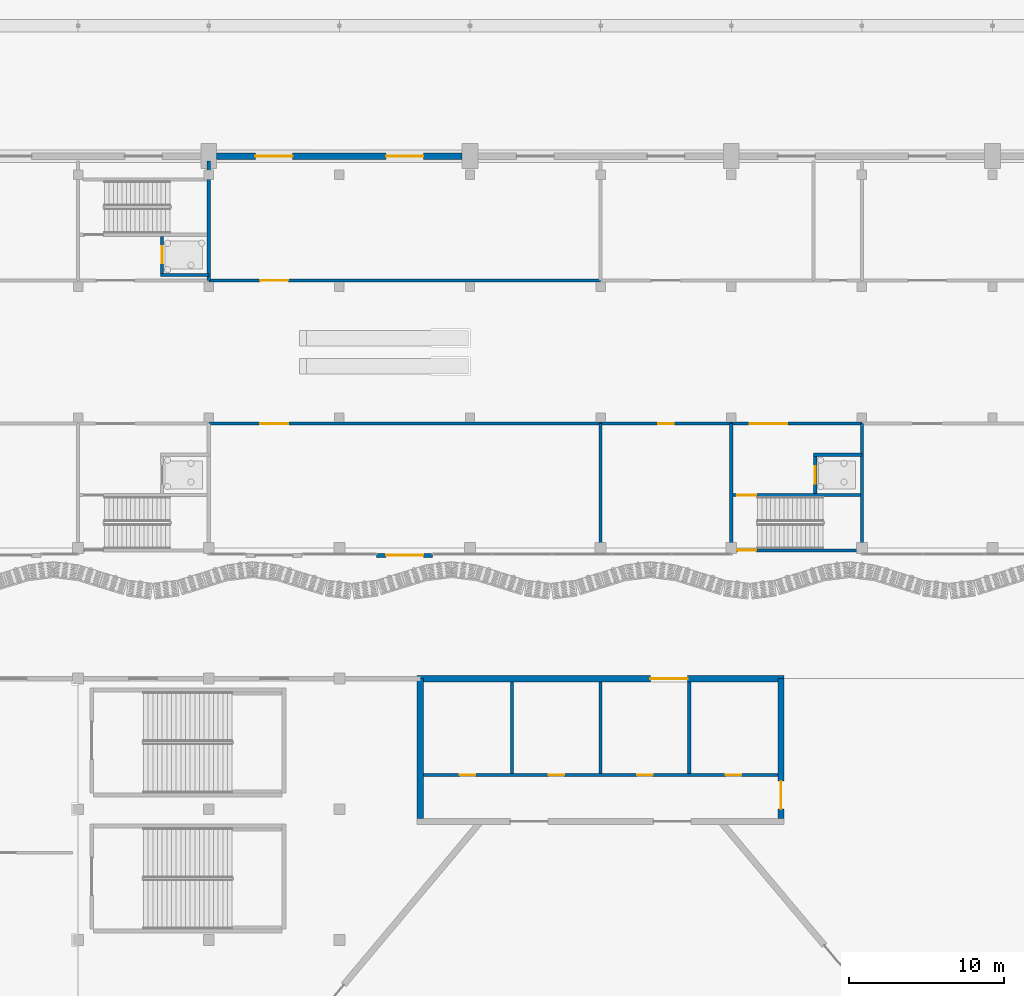
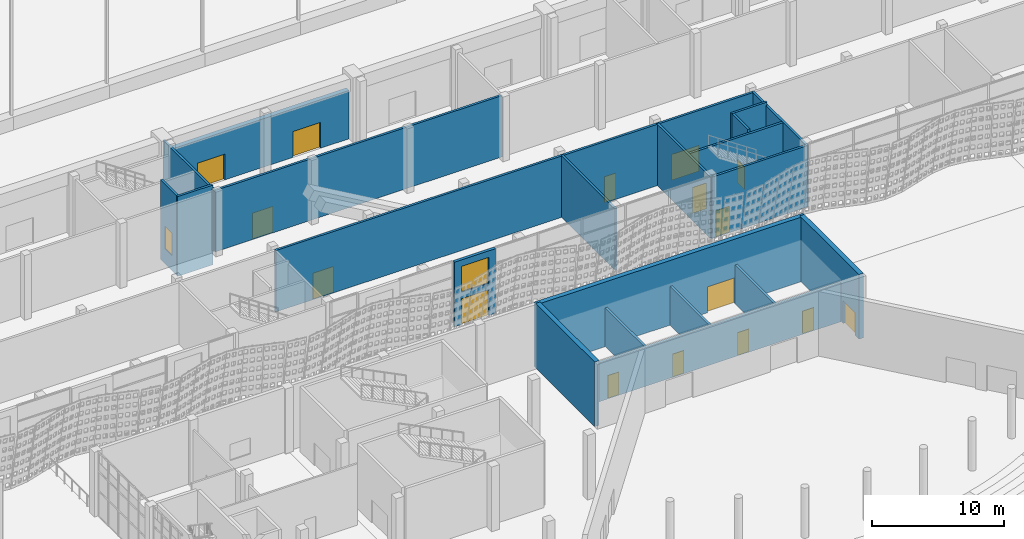
# One storey, part 112 of 210: 23 walls, 17 doors, 1 window, 18 openings.
"""IFC4 building model written with IfcOpenShell, lengths in metres."""

from ifc_helpers import new_model, si_unit, direction, frame, frame_2d, origin, place, context, subcontext, project, spatial, rectangle, extrude, material, layer, layer_set, type_object, element, fill, save


model = new_model("IFC4")

# Units and contexts
model_context = context("Model", 3, precision=1e-05, world=origin(), true_north=direction((0.0, 1.0)))
body_context = subcontext(model_context, "Body", "Model", "MODEL_VIEW")
ifc_project = project(units=[si_unit("LENGTHUNIT", "METRE"), si_unit("AREAUNIT", "SQUARE_METRE"), si_unit("VOLUMEUNIT", "CUBIC_METRE"), si_unit("PLANEANGLEUNIT", "RADIAN"), si_unit("MASSUNIT", "GRAM", prefix="KILO")], contexts=[model_context])

# Site, building, storey
site_placement = place(None, origin())
site = spatial("IfcSite", under=ifc_project, at=site_placement, CompositionType="ELEMENT")
building_placement = place(site_placement, origin())
building = spatial("IfcBuilding", under=site, at=building_placement, Name="Rain Tree Exposition and Congress Centre", CompositionType="ELEMENT")
storey_placement = place(building_placement, origin())
storey = spatial("IfcBuildingStorey", under=building, at=storey_placement, Name="L00", CompositionType="ELEMENT", Elevation=0.0)

# Wall
ifc_material_1 = material(Name="Concrete C40/50", Category="concrete")
ifc_layer_1 = layer(ifc_material_1, 0.39990234375)
ifc_layer_set_1 = layer_set([ifc_layer_1], Name="Concrete C40/50")
wall_type_1 = type_object("IfcWallType", Name="Acoustic wall 400", PredefinedType="SHEAR", material=ifc_layer_set_1)
wall_1_placement = place(storey_placement, frame((190.0, 67.199951171875, 0.0), z_axis=(0.0, 0.0, 1.0), x_axis=(0.0, -1.0, 0.0)))
element("IfcWall", 1, at=wall_1_placement, inside=storey, type_object=wall_type_1, Name="Stage house west wall", PredefinedType="SHEAR", context=body_context, shape_type="SweptSolid", body=[
    extrude(rectangle(XDim=8.989990234375, YDim=0.39990234375, at=frame_2d((4.4951171875, 0.0))), origin(), (0.0, 0.0, 1.0), 6.0),
])

# Wall, opening, door
wall_2_placement = place(storey_placement, frame((213.199951171875, 58.2099609375, 0.0), z_axis=(0.0, 0.0, 1.0), x_axis=(0.0, 1.0, 0.0)))
wall_2 = element("IfcWall", 2, at=wall_2_placement, inside=storey, type_object=wall_type_1, Name="Stage house east wall", PredefinedType="SHEAR", context=body_context, shape_type="SweptSolid", body=[
    extrude(rectangle(XDim=8.989990234375, YDim=0.39990234375, at=frame_2d((4.4951171875, 0.0))), origin(), (0.0, 0.0, 1.0), 6.0),
])
opening_1_placement = place(wall_2_placement, frame((0.60009765625, 0.0, 0.0)))
opening_1 = element("IfcOpeningElement", 3, at=opening_1_placement, cuts=wall_2, Name="Opening DG123", PredefinedType="OPENING", context=body_context, shape_type="SweptSolid", body=[
    extrude(rectangle(XDim=1.800048828125, YDim=2.10009765625, at=frame_2d((0.89990234375, 1.050048828125))), frame((0.0, 0.199951171875, 0.0), z_axis=(0.0, -1.0, 0.0), x_axis=(1.0, 0.0, 0.0)), (0.0, 0.0, 1.0), 0.39990234375),
])
ifc_material_2 = material(Name="Steel", Category="steel")
door_type_1 = type_object("IfcDoorType", Name="Stage door 1800x2100", OperationType="DOUBLE_DOOR_SINGLE_SWING", PredefinedType="DOOR", material=ifc_material_2)
door_1_placement = place(opening_1_placement, origin())
door_1 = element("IfcDoor", 4, at=door_1_placement, inside=storey, type_object=door_type_1, Name="DG123", OperationType="DOUBLE_DOOR_SINGLE_SWING", OverallHeight=2.10009765625, OverallWidth=1.800048828125, PredefinedType="DOOR", context=body_context, shape_type="SweptSolid", body=[
    extrude(rectangle(XDim=1.800048828125, YDim=2.10009765625, at=frame_2d((0.89990234375, 1.050048828125))), frame((0.0, 0.02490234375, 0.0), z_axis=(0.0, -1.0, 0.0), x_axis=(1.0, 0.0, 0.0)), (0.0, 0.0, 1.0), 0.050048828125),
])
fill(opening_1, door_1)

wall_3_placement = place(storey_placement, frame((213.39990234375, 67.199951171875, 0.0), z_axis=(0.0, 0.0, 1.0), x_axis=(-1.0, 0.0, 0.0)))
wall_3 = element("IfcWall", 5, at=wall_3_placement, inside=storey, type_object=wall_type_1, Name="Stage house north wall", PredefinedType="SHEAR", context=body_context, shape_type="SweptSolid", body=[
    extrude(rectangle(XDim=23.599853515625, YDim=0.39990234375, at=frame_2d((11.7998046875, 0.0))), origin(), (0.0, 0.0, 1.0), 6.0),
])
opening_2_placement = place(wall_3_placement, frame((6.199951171875, 0.0, 0.0)))
opening_2 = element("IfcOpeningElement", 6, at=opening_2_placement, cuts=wall_3, Name="Opening DG124", PredefinedType="OPENING", context=body_context, shape_type="SweptSolid", body=[
    extrude(rectangle(XDim=2.39990234375, YDim=2.39990234375, at=frame_2d((1.199951171875, 1.199951171875))), frame((0.0, 0.199951171875, 0.0), z_axis=(0.0, -1.0, 0.0), x_axis=(1.0, 0.0, 0.0)), (0.0, 0.0, 1.0), 0.39990234375),
])
ifc_material_3 = material(Name="Steel", Category="steel")
door_type_2 = type_object("IfcDoorType", Name="Scenery door 2400x2400", OperationType="DOUBLE_DOOR_SINGLE_SWING", PredefinedType="DOOR", material=ifc_material_3)
door_2_placement = place(opening_2_placement, origin())
door_2 = element("IfcDoor", 7, at=door_2_placement, inside=storey, type_object=door_type_2, Name="DG124", OperationType="DOUBLE_DOOR_SINGLE_SWING", OverallHeight=2.39990234375, OverallWidth=2.39990234375, PredefinedType="DOOR", context=body_context, shape_type="SweptSolid", body=[
    extrude(rectangle(XDim=2.39990234375, YDim=2.39990234375, at=frame_2d((1.199951171875, 1.199951171875))), frame((0.0, 0.02490234375, 0.0), z_axis=(0.0, -1.0, 0.0), x_axis=(1.0, 0.0, 0.0)), (0.0, 0.0, 1.0), 0.050048828125),
])
fill(opening_2, door_2)

# Wall, openings, doors
ifc_material_4 = material(Name="Concrete C40/50", Category="concrete")
ifc_layer_2 = layer(ifc_material_4, 0.199951171875)
ifc_layer_set_2 = layer_set([ifc_layer_2], Name="Concrete C40/50")
wall_type_2 = type_object("IfcWallType", Name="Backstage wall 200", PredefinedType="SOLIDWALL", material=ifc_layer_set_2)
wall_4_placement = place(storey_placement, frame((190.199951171875, 61.0, 0.0), z_axis=(0.0, 0.0, 1.0), x_axis=(1.0, 0.0, 0.0)))
wall_4 = element("IfcWall", 8, at=wall_4_placement, inside=storey, type_object=wall_type_2, Name="Backstage corridor wall", PredefinedType="SOLIDWALL", context=body_context, shape_type="SweptSolid", body=[
    extrude(rectangle(XDim=22.800048828125, YDim=0.199951171875, at=frame_2d((11.39990234375, 0.0))), origin(), (0.0, 0.0, 1.0), 3.60009765625),
])
opening_3_placement = place(wall_4_placement, frame((2.35009765625, 0.0, 0.0)))
opening_3 = element("IfcOpeningElement", 9, at=opening_3_placement, cuts=wall_4, Name="Opening DG119", PredefinedType="OPENING", context=body_context, shape_type="SweptSolid", body=[
    extrude(rectangle(XDim=1.0, YDim=2.10009765625, at=frame_2d((0.5, 1.050048828125))), frame((0.0, 0.10009765625, 0.0), z_axis=(0.0, -1.0, 0.0), x_axis=(1.0, 0.0, 0.0)), (0.0, 0.0, 1.0), 0.199951171875),
])
opening_4_placement = place(wall_4_placement, frame((8.050048828125, 0.0, 0.0)))
opening_4 = element("IfcOpeningElement", 10, at=opening_4_placement, cuts=wall_4, Name="Opening DG120", PredefinedType="OPENING", context=body_context, shape_type="SweptSolid", body=[
    extrude(rectangle(XDim=1.0, YDim=2.10009765625, at=frame_2d((0.5, 1.050048828125))), frame((0.0, 0.10009765625, 0.0), z_axis=(0.0, -1.0, 0.0), x_axis=(1.0, 0.0, 0.0)), (0.0, 0.0, 1.0), 0.199951171875),
])
opening_5_placement = place(wall_4_placement, frame((13.75, 0.0, 0.0)))
opening_5 = element("IfcOpeningElement", 11, at=opening_5_placement, cuts=wall_4, Name="Opening DG121", PredefinedType="OPENING", context=body_context, shape_type="SweptSolid", body=[
    extrude(rectangle(XDim=1.0, YDim=2.10009765625, at=frame_2d((0.5, 1.050048828125))), frame((0.0, 0.10009765625, 0.0), z_axis=(0.0, -1.0, 0.0), x_axis=(1.0, 0.0, 0.0)), (0.0, 0.0, 1.0), 0.199951171875),
])
opening_6_placement = place(wall_4_placement, frame((19.449951171875, 0.0, 0.0)))
opening_6 = element("IfcOpeningElement", 12, at=opening_6_placement, cuts=wall_4, Name="Opening DG122", PredefinedType="OPENING", context=body_context, shape_type="SweptSolid", body=[
    extrude(rectangle(XDim=1.0, YDim=2.10009765625, at=frame_2d((0.5, 1.050048828125))), frame((0.0, 0.10009765625, 0.0), z_axis=(0.0, -1.0, 0.0), x_axis=(1.0, 0.0, 0.0)), (0.0, 0.0, 1.0), 0.199951171875),
])
ifc_material_5 = material(Name="Timber with steel frame", Category="steel")
door_type_3 = type_object("IfcDoorType", Name="Single door 1000x2100 congress", OperationType="NOTDEFINED", PredefinedType="DOOR", material=ifc_material_5)
door_3_placement = place(opening_3_placement, origin())
door_3 = element("IfcDoor", 13, at=door_3_placement, inside=storey, type_object=door_type_3, Name="DG119", OperationType="SINGLE_SWING_LEFT", OverallHeight=2.10009765625, OverallWidth=1.0, PredefinedType="DOOR", context=body_context, shape_type="SweptSolid", body=[
    extrude(rectangle(XDim=1.0, YDim=2.10009765625, at=frame_2d((0.5, 1.050048828125))), frame((0.0, 0.02490234375, 0.0), z_axis=(0.0, -1.0, 0.0), x_axis=(1.0, 0.0, 0.0)), (0.0, 0.0, 1.0), 0.050048828125),
])
fill(opening_3, door_3)
door_4_placement = place(opening_4_placement, origin())
door_4 = element("IfcDoor", 14, at=door_4_placement, inside=storey, type_object=door_type_3, Name="DG120", OperationType="SINGLE_SWING_RIGHT", OverallHeight=2.10009765625, OverallWidth=1.0, PredefinedType="DOOR", context=body_context, shape_type="SweptSolid", body=[
    extrude(rectangle(XDim=1.0, YDim=2.10009765625, at=frame_2d((0.5, 1.050048828125))), frame((0.0, 0.02490234375, 0.0), z_axis=(0.0, -1.0, 0.0), x_axis=(1.0, 0.0, 0.0)), (0.0, 0.0, 1.0), 0.050048828125),
])
fill(opening_4, door_4)
door_5_placement = place(opening_5_placement, origin())
door_5 = element("IfcDoor", 15, at=door_5_placement, inside=storey, type_object=door_type_3, Name="DG121", OperationType="SINGLE_SWING_LEFT", OverallHeight=2.10009765625, OverallWidth=1.0, PredefinedType="DOOR", context=body_context, shape_type="SweptSolid", body=[
    extrude(rectangle(XDim=1.0, YDim=2.10009765625, at=frame_2d((0.5, 1.050048828125))), frame((0.0, 0.02490234375, 0.0), z_axis=(0.0, -1.0, 0.0), x_axis=(1.0, 0.0, 0.0)), (0.0, 0.0, 1.0), 0.050048828125),
])
fill(opening_5, door_5)
door_6_placement = place(opening_6_placement, origin())
door_6 = element("IfcDoor", 16, at=door_6_placement, inside=storey, type_object=door_type_3, Name="DG122", OperationType="SINGLE_SWING_RIGHT", OverallHeight=2.10009765625, OverallWidth=1.0, PredefinedType="DOOR", context=body_context, shape_type="SweptSolid", body=[
    extrude(rectangle(XDim=1.0, YDim=2.10009765625, at=frame_2d((0.5, 1.050048828125))), frame((0.0, 0.02490234375, 0.0), z_axis=(0.0, -1.0, 0.0), x_axis=(1.0, 0.0, 0.0)), (0.0, 0.0, 1.0), 0.050048828125),
])
fill(opening_6, door_6)

# Walls
for number, where, z_axis, x_axis, name in (
    (17, (195.89990234375, 61.10009765625, 0.0), (0.0, 0.0, 1.0), (0.0, 1.0, 0.0), "Backstage room wall"),
    (18, (201.60009765625, 61.10009765625, 0.0), (0.0, 0.0, 1.0), (0.0, 1.0, 0.0), "Backstage room wall"),
    (19, (207.300048828125, 61.10009765625, 0.0), (0.0, 0.0, 1.0), (0.0, 1.0, 0.0), "Backstage room wall"),
):
    element("IfcWall", number, at=place(storey_placement, frame(where, z_axis=z_axis, x_axis=x_axis)), inside=storey, type_object=wall_type_2, Name=name, PredefinedType="SOLIDWALL", context=body_context, shape_type="SweptSolid", body=[
        extrude(rectangle(XDim=5.89990234375, YDim=0.199951171875, at=frame_2d((2.949951171875, 0.0))), origin(), (0.0, 0.0, 1.0), 3.60009765625),
    ])
ifc_material_6 = material(Name="Hollow blockwork partition", Category="masonry")
ifc_layer_3 = layer(ifc_material_6, 0.199951171875)
ifc_layer_set_3 = layer_set([ifc_layer_3], Name="Hollow blockwork partition")
wall_type_3 = type_object("IfcWallType", Name="Concourse blockwork partition 200", PredefinedType="PARTITIONING", material=ifc_layer_set_3)
wall_5_placement = place(storey_placement, frame((201.60009765625, 75.39990234375, 0.0), z_axis=(0.0, 0.0, 1.0), x_axis=(0.0, 1.0, 0.0)))
element("IfcWall", 20, at=wall_5_placement, inside=storey, type_object=wall_type_3, Name="Concourse partition L00", PredefinedType="PARTITIONING", context=body_context, shape_type="SweptSolid", body=[
    extrude(rectangle(XDim=8.2001953125, YDim=0.199951171875, at=frame_2d((4.10009765625, 0.0))), origin(), (0.0, 0.0, 1.0), 5.699951171875),
])

# Wall, opening, door
wall_6_placement = place(storey_placement, frame((176.39990234375, 83.60009765625, 0.0), z_axis=(0.0, 0.0, 1.0), x_axis=(1.0, 0.0, 0.0)))
wall_6 = element("IfcWall", 21, at=wall_6_placement, inside=storey, type_object=wall_type_3, Name="Concourse room front L00", PredefinedType="PARTITIONING", context=body_context, shape_type="SweptSolid", body=[
    extrude(rectangle(XDim=25.2001953125, YDim=0.199951171875, at=frame_2d((12.60009765625, 0.0))), origin(), (0.0, 0.0, 1.0), 5.699951171875),
])
opening_7_placement = place(wall_6_placement, frame((3.300048828125, 0.0, 0.0)))
opening_7 = element("IfcOpeningElement", 22, at=opening_7_placement, cuts=wall_6, Name="Opening DC027", PredefinedType="OPENING", context=body_context, shape_type="SweptSolid", body=[
    extrude(rectangle(XDim=1.800048828125, YDim=2.39990234375, at=frame_2d((0.89990234375, 1.199951171875))), frame((0.0, 0.10009765625, 0.0), z_axis=(0.0, -1.0, 0.0), x_axis=(1.0, 0.0, 0.0)), (0.0, 0.0, 1.0), 0.199951171875),
])
ifc_material_7 = material(Name="Aluminium framed glazed door", Category="aluminium")
door_type_4 = type_object("IfcDoorType", Name="Concourse double door 1800x2400", OperationType="DOUBLE_DOOR_DOUBLE_SWING", PredefinedType="DOOR", material=ifc_material_7)
door_7_placement = place(opening_7_placement, origin())
door_7 = element("IfcDoor", 23, at=door_7_placement, inside=storey, type_object=door_type_4, Name="Room door DC027", OperationType="DOUBLE_DOOR_DOUBLE_SWING", OverallHeight=2.39990234375, OverallWidth=1.800048828125, PredefinedType="DOOR", context=body_context, shape_type="SweptSolid", body=[
    extrude(rectangle(XDim=1.800048828125, YDim=2.39990234375, at=frame_2d((0.89990234375, 1.199951171875))), frame((0.0, 0.02490234375, 0.0), z_axis=(0.0, -1.0, 0.0), x_axis=(1.0, 0.0, 0.0)), (0.0, 0.0, 1.0), 0.050048828125),
])
fill(opening_7, door_7)

wall_7_placement = place(storey_placement, frame((201.60009765625, 83.60009765625, 0.0), z_axis=(0.0, 0.0, 1.0), x_axis=(1.0, 0.0, 0.0)))
wall_7 = element("IfcWall", 24, at=wall_7_placement, inside=storey, type_object=wall_type_3, Name="Concourse room front L00", PredefinedType="PARTITIONING", context=body_context, shape_type="SweptSolid", body=[
    extrude(rectangle(XDim=8.39990234375, YDim=0.199951171875, at=frame_2d((4.199951171875, 0.0))), origin(), (0.0, 0.0, 1.0), 5.699951171875),
])
opening_8_placement = place(wall_7_placement, frame((3.699951171875, 0.0, 0.0)))
opening_8 = element("IfcOpeningElement", 25, at=opening_8_placement, cuts=wall_7, Name="Opening DC028", PredefinedType="OPENING", context=body_context, shape_type="SweptSolid", body=[
    extrude(rectangle(XDim=1.0, YDim=2.39990234375, at=frame_2d((0.5, 1.199951171875))), frame((0.0, 0.10009765625, 0.0), z_axis=(0.0, -1.0, 0.0), x_axis=(1.0, 0.0, 0.0)), (0.0, 0.0, 1.0), 0.199951171875),
])
ifc_material_8 = material(Name="Aluminium framed glazed door", Category="aluminium")
door_type_5 = type_object("IfcDoorType", Name="Concourse single door 1000x2400", OperationType="NOTDEFINED", PredefinedType="DOOR", material=ifc_material_8)
door_8_placement = place(opening_8_placement, origin())
door_8 = element("IfcDoor", 26, at=door_8_placement, inside=storey, type_object=door_type_5, Name="Room door DC028", OperationType="SINGLE_SWING_RIGHT", OverallHeight=2.39990234375, OverallWidth=1.0, PredefinedType="DOOR", context=body_context, shape_type="SweptSolid", body=[
    extrude(rectangle(XDim=1.0, YDim=2.39990234375, at=frame_2d((0.5, 1.199951171875))), frame((0.0, 0.02490234375, 0.0), z_axis=(0.0, -1.0, 0.0), x_axis=(1.0, 0.0, 0.0)), (0.0, 0.0, 1.0), 0.050048828125),
])
fill(opening_8, door_8)

wall_8_placement = place(storey_placement, frame((176.39990234375, 92.800048828125, 0.0), z_axis=(0.0, 0.0, 1.0), x_axis=(1.0, 0.0, 0.0)))
wall_8 = element("IfcWall", 27, at=wall_8_placement, inside=storey, type_object=wall_type_3, Name="Concourse room front L00", PredefinedType="PARTITIONING", context=body_context, shape_type="SweptSolid", body=[
    extrude(rectangle(XDim=25.2001953125, YDim=0.199951171875, at=frame_2d((12.60009765625, 0.0))), origin(), (0.0, 0.0, 1.0), 5.699951171875),
])
opening_9_placement = place(wall_8_placement, frame((3.300048828125, 0.0, 0.0)))
opening_9 = element("IfcOpeningElement", 28, at=opening_9_placement, cuts=wall_8, Name="Opening DC065", PredefinedType="OPENING", context=body_context, shape_type="SweptSolid", body=[
    extrude(rectangle(XDim=1.800048828125, YDim=2.39990234375, at=frame_2d((0.89990234375, 1.199951171875))), frame((0.0, 0.10009765625, 0.0), z_axis=(0.0, -1.0, 0.0), x_axis=(1.0, 0.0, 0.0)), (0.0, 0.0, 1.0), 0.199951171875),
])
door_9_placement = place(opening_9_placement, origin())
door_9 = element("IfcDoor", 29, at=door_9_placement, inside=storey, type_object=door_type_4, Name="Room door DC065", OperationType="DOUBLE_DOOR_DOUBLE_SWING", OverallHeight=2.39990234375, OverallWidth=1.800048828125, PredefinedType="DOOR", context=body_context, shape_type="SweptSolid", body=[
    extrude(rectangle(XDim=1.800048828125, YDim=2.39990234375, at=frame_2d((0.89990234375, 1.199951171875))), frame((0.0, 0.02490234375, 0.0), z_axis=(0.0, -1.0, 0.0), x_axis=(1.0, 0.0, 0.0)), (0.0, 0.0, 1.0), 0.050048828125),
])
fill(opening_9, door_9)

# Wall, openings, door, window
ifc_material_9 = material(Name="Concrete C40/50", Category="concrete")
ifc_layer_4 = layer(ifc_material_9, 0.25)
ifc_layer_set_4 = layer_set([ifc_layer_4], Name="Concrete C40/50")
wall_type_4 = type_object("IfcWallType", Name="Concourse entrance infill wall 250", PredefinedType="SOLIDWALL", material=ifc_layer_set_4)
wall_9_placement = place(storey_placement, frame((187.199951171875, 75.125, 0.0), z_axis=(0.0, 0.0, 1.0), x_axis=(1.0, 0.0, 0.0)))
wall_9 = element("IfcWall", 30, at=wall_9_placement, inside=storey, type_object=wall_type_4, Name="Concourse entrance infill wall", PredefinedType="SOLIDWALL", context=body_context, shape_type="SweptSolid", body=[
    extrude(rectangle(XDim=3.60009765625, YDim=0.25, at=frame_2d((1.800048828125, 0.0))), origin(), (0.0, 0.0, 1.0), 6.0),
])
opening_10_placement = place(wall_9_placement, frame((0.60009765625, 0.0, 0.0)))
opening_10 = element("IfcOpeningElement", 31, at=opening_10_placement, cuts=wall_9, Name="Opening DC012", PredefinedType="OPENING", context=body_context, shape_type="SweptSolid", body=[
    extrude(rectangle(XDim=2.39990234375, YDim=2.39990234375, at=frame_2d((1.199951171875, 1.199951171875))), frame((0.0, 0.125, 0.0), z_axis=(0.0, -1.0, 0.0), x_axis=(1.0, 0.0, 0.0)), (0.0, 0.0, 1.0), 0.25),
])
opening_11_placement = place(wall_9_placement, frame((0.60009765625, 0.0, 3.0)))
opening_11 = element("IfcOpeningElement", 32, at=opening_11_placement, cuts=wall_9, Name="Opening WC872", PredefinedType="OPENING", context=body_context, shape_type="SweptSolid", body=[
    extrude(rectangle(XDim=2.39990234375, YDim=2.39990234375, at=frame_2d((1.199951171875, 1.199951171875))), frame((0.0, 0.125, 0.0), z_axis=(0.0, -1.0, 0.0), x_axis=(1.0, 0.0, 0.0)), (0.0, 0.0, 1.0), 0.25),
])
ifc_material_10 = material(Name="Aluminium framed glazed door", Category="aluminium")
door_type_6 = type_object("IfcDoorType", Name="Concourse double door 2400x2400", OperationType="DOUBLE_DOOR_DOUBLE_SWING", PredefinedType="DOOR", material=ifc_material_10)
door_10_placement = place(opening_10_placement, origin())
door_10 = element("IfcDoor", 33, at=door_10_placement, inside=storey, type_object=door_type_6, Name="Room entrance door DC012", OperationType="DOUBLE_DOOR_DOUBLE_SWING", OverallHeight=2.39990234375, OverallWidth=2.39990234375, PredefinedType="DOOR", context=body_context, shape_type="SweptSolid", body=[
    extrude(rectangle(XDim=2.39990234375, YDim=2.39990234375, at=frame_2d((1.199951171875, 1.199951171875))), frame((0.0, 0.02490234375, 0.0), z_axis=(0.0, -1.0, 0.0), x_axis=(1.0, 0.0, 0.0)), (0.0, 0.0, 1.0), 0.050048828125),
])
fill(opening_10, door_10)
ifc_material_11 = material(Name="Aluminium framed glazing", Category="aluminium")
window_type = type_object("IfcWindowType", Name="Concourse fixed window 2400x2400", PartitioningType="SINGLE_PANEL", PredefinedType="WINDOW", material=ifc_material_11)
window_placement = place(opening_11_placement, origin())
window = element("IfcWindow", 34, at=window_placement, inside=storey, type_object=window_type, Name="Entrance transom window", OverallHeight=2.39990234375, OverallWidth=2.39990234375, PartitioningType="SINGLE_PANEL", PredefinedType="WINDOW", context=body_context, shape_type="SweptSolid", body=[
    extrude(rectangle(XDim=2.39990234375, YDim=2.39990234375, at=frame_2d((1.199951171875, 1.199951171875))), frame((0.0, 0.030029296875, 0.0), z_axis=(0.0, -1.0, 0.0), x_axis=(1.0, 0.0, 0.0)), (0.0, 0.0, 1.0), 0.06005859375),
])
fill(opening_11, window)

# Walls
ifc_material_12 = material(Name="Concrete C40/50", Category="concrete")
ifc_layer_5 = layer(ifc_material_12, 0.199951171875)
ifc_layer_set_5 = layer_set([ifc_layer_5], Name="Concrete C40/50")
wall_type_5 = type_object("IfcWallType", Name="Concourse shaft and core wall 200", PredefinedType="SOLIDWALL", material=ifc_layer_set_5)
for number, where, z_axis, x_axis, name in (
    (35, (210.0, 75.39990234375, 0.0), (0.0, 0.0, 1.0), (0.0, 1.0, 0.0), "Concourse core wall L00"),
    (36, (218.39990234375, 75.39990234375, 0.0), (0.0, 0.0, 1.0), (0.0, 1.0, 0.0), "Concourse core wall L00"),
):
    element("IfcWall", number, at=place(storey_placement, frame(where, z_axis=z_axis, x_axis=x_axis)), inside=storey, type_object=wall_type_5, Name=name, PredefinedType="SOLIDWALL", context=body_context, shape_type="SweptSolid", body=[
        extrude(rectangle(XDim=8.2001953125, YDim=0.199951171875, at=frame_2d((4.10009765625, 0.0))), origin(), (0.0, 0.0, 1.0), 5.699951171875),
    ])
wall_10_placement = place(storey_placement, frame((176.39990234375, 100.5, 0.0), z_axis=(0.0, 0.0, 1.0), x_axis=(0.0, -1.0, 0.0)))
element("IfcWall", 37, at=wall_10_placement, inside=storey, type_object=wall_type_5, Name="Concourse core wall L00", PredefinedType="SOLIDWALL", context=body_context, shape_type="SweptSolid", body=[
    extrude(rectangle(XDim=7.699951171875, YDim=0.199951171875, at=frame_2d((3.85009765625, 0.0))), origin(), (0.0, 0.0, 1.0), 5.699951171875),
])

# Wall, opening, door
wall_11_placement = place(storey_placement, frame((210.0, 83.60009765625, 0.0), z_axis=(0.0, 0.0, 1.0), x_axis=(1.0, 0.0, 0.0)))
wall_11 = element("IfcWall", 38, at=wall_11_placement, inside=storey, type_object=wall_type_5, Name="Concourse lobby front L00", PredefinedType="SOLIDWALL", context=body_context, shape_type="SweptSolid", body=[
    extrude(rectangle(XDim=8.39990234375, YDim=0.199951171875, at=frame_2d((4.199951171875, 0.0))), origin(), (0.0, 0.0, 1.0), 5.699951171875),
])
opening_12_placement = place(wall_11_placement, frame((1.199951171875, 0.0, 0.0)))
opening_12 = element("IfcOpeningElement", 39, at=opening_12_placement, cuts=wall_11, Name="Opening DC036", PredefinedType="OPENING", context=body_context, shape_type="SweptSolid", body=[
    extrude(rectangle(XDim=2.39990234375, YDim=2.39990234375, at=frame_2d((1.199951171875, 1.199951171875))), frame((0.0, 0.10009765625, 0.0), z_axis=(0.0, -1.0, 0.0), x_axis=(1.0, 0.0, 0.0)), (0.0, 0.0, 1.0), 0.199951171875),
])
door_11_placement = place(opening_12_placement, origin())
door_11 = element("IfcDoor", 40, at=door_11_placement, inside=storey, type_object=door_type_6, Name="Lobby exit door DC036", OperationType="DOUBLE_DOOR_DOUBLE_SWING", OverallHeight=2.39990234375, OverallWidth=2.39990234375, PredefinedType="DOOR", context=body_context, shape_type="SweptSolid", body=[
    extrude(rectangle(XDim=2.39990234375, YDim=2.39990234375, at=frame_2d((1.199951171875, 1.199951171875))), frame((0.0, 0.02490234375, 0.0), z_axis=(0.0, -1.0, 0.0), x_axis=(1.0, 0.0, 0.0)), (0.0, 0.0, 1.0), 0.050048828125),
])
fill(opening_12, door_11)

wall_12_placement = place(storey_placement, frame((210.0, 75.449951171875, 0.0), z_axis=(0.0, 0.0, 1.0), x_axis=(1.0, 0.0, 0.0)))
wall_12 = element("IfcWall", 41, at=wall_12_placement, inside=storey, type_object=wall_type_5, Name="Concourse stair wall L00", PredefinedType="SOLIDWALL", context=body_context, shape_type="SweptSolid", body=[
    extrude(rectangle(XDim=8.39990234375, YDim=0.199951171875, at=frame_2d((4.199951171875, 0.0))), origin(), (0.0, 0.0, 1.0), 5.699951171875),
])
opening_13_placement = place(wall_12_placement, frame((0.39990234375, 0.0, 0.0)))
opening_13 = element("IfcOpeningElement", 42, at=opening_13_placement, cuts=wall_12, Name="Opening DC112", PredefinedType="OPENING", context=body_context, shape_type="SweptSolid", body=[
    extrude(rectangle(XDim=1.199951171875, YDim=2.39990234375, at=frame_2d((0.60009765625, 1.199951171875))), frame((0.0, 0.10009765625, 0.0), z_axis=(0.0, -1.0, 0.0), x_axis=(1.0, 0.0, 0.0)), (0.0, 0.0, 1.0), 0.199951171875),
])
ifc_material_13 = material(Name="Aluminium framed glazed door", Category="aluminium")
door_type_7 = type_object("IfcDoorType", Name="Concourse single door 1200x2400", OperationType="NOTDEFINED", PredefinedType="DOOR", material=ifc_material_13)
door_12_placement = place(opening_13_placement, frame((1.199951171875, 0.0, 0.0), z_axis=(0.0, 0.0, 1.0), x_axis=(-1.0, 0.0, 0.0)))
door_12 = element("IfcDoor", 43, at=door_12_placement, inside=storey, type_object=door_type_7, Name="Stair exit door DC112", OperationType="SINGLE_SWING_RIGHT", OverallHeight=2.39990234375, OverallWidth=1.199951171875, PredefinedType="DOOR", context=body_context, shape_type="SweptSolid", body=[
    extrude(rectangle(XDim=1.199951171875, YDim=2.39990234375, at=frame_2d((0.60009765625, 1.199951171875))), frame((0.0, 0.02490234375, 0.0), z_axis=(0.0, -1.0, 0.0), x_axis=(1.0, 0.0, 0.0)), (0.0, 0.0, 1.0), 0.050048828125),
])
fill(opening_13, door_12)

wall_13_placement = place(storey_placement, frame((210.0, 79.0, 0.0), z_axis=(0.0, 0.0, 1.0), x_axis=(1.0, 0.0, 0.0)))
wall_13 = element("IfcWall", 44, at=wall_13_placement, inside=storey, type_object=wall_type_5, Name="Concourse stair wall L00", PredefinedType="SOLIDWALL", context=body_context, shape_type="SweptSolid", body=[
    extrude(rectangle(XDim=8.39990234375, YDim=0.199951171875, at=frame_2d((4.199951171875, 0.0))), origin(), (0.0, 0.0, 1.0), 5.699951171875),
])
opening_14_placement = place(wall_13_placement, frame((0.39990234375, 0.0, 0.0)))
opening_14 = element("IfcOpeningElement", 45, at=opening_14_placement, cuts=wall_13, Name="Opening DC113", PredefinedType="OPENING", context=body_context, shape_type="SweptSolid", body=[
    extrude(rectangle(XDim=1.199951171875, YDim=2.39990234375, at=frame_2d((0.60009765625, 1.199951171875))), frame((0.0, 0.10009765625, 0.0), z_axis=(0.0, -1.0, 0.0), x_axis=(1.0, 0.0, 0.0)), (0.0, 0.0, 1.0), 0.199951171875),
])
door_13_placement = place(opening_14_placement, origin())
door_13 = element("IfcDoor", 46, at=door_13_placement, inside=storey, type_object=door_type_7, Name="Stair door DC113", OperationType="SINGLE_SWING_LEFT", OverallHeight=2.39990234375, OverallWidth=1.199951171875, PredefinedType="DOOR", context=body_context, shape_type="SweptSolid", body=[
    extrude(rectangle(XDim=1.199951171875, YDim=2.39990234375, at=frame_2d((0.60009765625, 1.199951171875))), frame((0.0, 0.02490234375, 0.0), z_axis=(0.0, -1.0, 0.0), x_axis=(1.0, 0.0, 0.0)), (0.0, 0.0, 1.0), 0.050048828125),
])
fill(opening_14, door_13)

wall_14_placement = place(storey_placement, frame((215.39990234375, 79.10009765625, -1.39990234375), z_axis=(0.0, 0.0, 1.0), x_axis=(0.0, 1.0, 0.0)))
wall_14 = element("IfcWall", 47, at=wall_14_placement, inside=storey, type_object=wall_type_5, Name="Concourse lift shaft wall L00", PredefinedType="SOLIDWALL", context=body_context, shape_type="SweptSolid", body=[
    extrude(rectangle(XDim=2.599853515625, YDim=0.199951171875, at=frame_2d((1.2998046875, 0.0))), origin(), (0.0, 0.0, 1.0), 7.39990234375),
])
opening_15_placement = place(wall_14_placement, frame((0.64990234375, 0.0, 1.39990234375)))
opening_15 = element("IfcOpeningElement", 48, at=opening_15_placement, cuts=wall_14, Name="Opening DC115", PredefinedType="OPENING", context=body_context, shape_type="SweptSolid", body=[
    extrude(rectangle(XDim=1.10009765625, YDim=2.10009765625, at=frame_2d((0.550048828125, 1.050048828125))), frame((0.0, 0.10009765625, 0.0), z_axis=(0.0, -1.0, 0.0), x_axis=(1.0, 0.0, 0.0)), (0.0, 0.0, 1.0), 0.199951171875),
])
ifc_material_14 = material(Name="Stainless steel", Category="steel")
door_type_8 = type_object("IfcDoorType", Name="Lift landing door 1100x2100", OperationType="DOUBLE_DOOR_SLIDING", PredefinedType="DOOR", material=ifc_material_14)
door_14_placement = place(opening_15_placement, origin())
door_14 = element("IfcDoor", 49, at=door_14_placement, inside=storey, type_object=door_type_8, Name="Lift landing door DC115", OperationType="DOUBLE_DOOR_SLIDING", OverallHeight=2.10009765625, OverallWidth=1.10009765625, PredefinedType="DOOR", context=body_context, shape_type="SweptSolid", body=[
    extrude(rectangle(XDim=1.10009765625, YDim=2.10009765625, at=frame_2d((0.550048828125, 1.050048828125))), frame((0.0, 0.02490234375, 0.0), z_axis=(0.0, -1.0, 0.0), x_axis=(1.0, 0.0, 0.0)), (0.0, 0.0, 1.0), 0.050048828125),
])
fill(opening_15, door_14)

# Wall
wall_15_placement = place(storey_placement, frame((215.300048828125, 81.60009765625, -1.39990234375), z_axis=(0.0, 0.0, 1.0), x_axis=(1.0, 0.0, 0.0)))
element("IfcWall", 50, at=wall_15_placement, inside=storey, type_object=wall_type_5, Name="Concourse lift shaft wall L00", PredefinedType="SOLIDWALL", context=body_context, shape_type="SweptSolid", body=[
    extrude(rectangle(XDim=3.099853515625, YDim=0.199951171875, at=frame_2d((1.5498046875, 0.0))), origin(), (0.0, 0.0, 1.0), 7.39990234375),
])

# Wall, opening, door
wall_16_placement = place(storey_placement, frame((173.39990234375, 93.050048828125, -1.39990234375), z_axis=(0.0, 0.0, 1.0), x_axis=(0.0, 1.0, 0.0)))
wall_16 = element("IfcWall", 51, at=wall_16_placement, inside=storey, type_object=wall_type_5, Name="Concourse lift shaft wall L00", PredefinedType="SOLIDWALL", context=body_context, shape_type="SweptSolid", body=[
    extrude(rectangle(XDim=2.599853515625, YDim=0.199951171875, at=frame_2d((1.2998046875, 0.0))), origin(), (0.0, 0.0, 1.0), 7.39990234375),
])
opening_16_placement = place(wall_16_placement, frame((0.85009765625, 0.0, 1.39990234375)))
opening_16 = element("IfcOpeningElement", 52, at=opening_16_placement, cuts=wall_16, Name="Opening DC140", PredefinedType="OPENING", context=body_context, shape_type="SweptSolid", body=[
    extrude(rectangle(XDim=1.10009765625, YDim=2.10009765625, at=frame_2d((0.550048828125, 1.050048828125))), frame((0.0, 0.10009765625, 0.0), z_axis=(0.0, -1.0, 0.0), x_axis=(1.0, 0.0, 0.0)), (0.0, 0.0, 1.0), 0.199951171875),
])
door_15_placement = place(opening_16_placement, origin())
door_15 = element("IfcDoor", 53, at=door_15_placement, inside=storey, type_object=door_type_8, Name="Lift landing door DC140", OperationType="DOUBLE_DOOR_SLIDING", OverallHeight=2.10009765625, OverallWidth=1.10009765625, PredefinedType="DOOR", context=body_context, shape_type="SweptSolid", body=[
    extrude(rectangle(XDim=1.10009765625, YDim=2.10009765625, at=frame_2d((0.550048828125, 1.050048828125))), frame((0.0, 0.02490234375, 0.0), z_axis=(0.0, -1.0, 0.0), x_axis=(1.0, 0.0, 0.0)), (0.0, 0.0, 1.0), 0.050048828125),
])
fill(opening_16, door_15)

# Wall
wall_17_placement = place(storey_placement, frame((173.300048828125, 93.14990234375, -1.39990234375), z_axis=(0.0, 0.0, 1.0), x_axis=(1.0, 0.0, 0.0)))
element("IfcWall", 54, at=wall_17_placement, inside=storey, type_object=wall_type_5, Name="Concourse lift shaft wall L00", PredefinedType="SOLIDWALL", context=body_context, shape_type="SweptSolid", body=[
    extrude(rectangle(XDim=3.099853515625, YDim=0.199951171875, at=frame_2d((1.5498046875, 0.0))), origin(), (0.0, 0.0, 1.0), 7.39990234375),
])

# Wall, openings, doors
ifc_material_15 = material(Name="Precast concrete C50/60", Category="concrete")
ifc_layer_6 = layer(ifc_material_15, 0.39990234375)
ifc_layer_set_6 = layer_set([ifc_layer_6], Name="Precast concrete C50/60")
wall_type_6 = type_object("IfcWallType", Name="Hall precast wall 400", PredefinedType="STANDARD", material=ifc_layer_set_6)
wall_18_placement = place(storey_placement, frame((176.89990234375, 100.800048828125, 0.0), z_axis=(0.0, 0.0, 1.0), x_axis=(1.0, 0.0, 0.0)))
wall_18 = element("IfcWall", 55, at=wall_18_placement, inside=storey, type_object=wall_type_6, Name="Cladding wall S3", PredefinedType="STANDARD", context=body_context, shape_type="SweptSolid", body=[
    extrude(rectangle(XDim=15.800048828125, YDim=0.39990234375, at=frame_2d((7.89990234375, 0.0))), origin(), (0.0, 0.0, 1.0), 4.5),
])
opening_17_placement = place(wall_18_placement, frame((2.5, 0.0, 0.0)))
opening_17 = element("IfcOpeningElement", 56, at=opening_17_placement, cuts=wall_18, Name="Opening DH139", PredefinedType="OPENING", context=body_context, shape_type="SweptSolid", body=[
    extrude(rectangle(XDim=2.39990234375, YDim=2.39990234375, at=frame_2d((1.199951171875, 1.199951171875))), frame((0.0, 0.199951171875, 0.0), z_axis=(0.0, -1.0, 0.0), x_axis=(1.0, 0.0, 0.0)), (0.0, 0.0, 1.0), 0.39990234375),
])
opening_18_placement = place(wall_18_placement, frame((10.89990234375, 0.0, 0.0)))
opening_18 = element("IfcOpeningElement", 57, at=opening_18_placement, cuts=wall_18, Name="Opening DH140", PredefinedType="OPENING", context=body_context, shape_type="SweptSolid", body=[
    extrude(rectangle(XDim=2.39990234375, YDim=2.39990234375, at=frame_2d((1.199951171875, 1.199951171875))), frame((0.0, 0.199951171875, 0.0), z_axis=(0.0, -1.0, 0.0), x_axis=(1.0, 0.0, 0.0)), (0.0, 0.0, 1.0), 0.39990234375),
])
ifc_material_16 = material(Name="Aluminium and glass", Category="aluminium")
door_type_9 = type_object("IfcDoorType", Name="Double glazed entrance door 2400x2400", OperationType="DOUBLE_DOOR_SINGLE_SWING", PredefinedType="DOOR", material=ifc_material_16)
door_16_placement = place(opening_17_placement, origin())
door_16 = element("IfcDoor", 58, at=door_16_placement, inside=storey, type_object=door_type_9, Name="Door DH139", OperationType="DOUBLE_DOOR_SINGLE_SWING", OverallHeight=2.39990234375, OverallWidth=2.39990234375, PredefinedType="DOOR", context=body_context, shape_type="SweptSolid", body=[
    extrude(rectangle(XDim=2.39990234375, YDim=2.39990234375, at=frame_2d((1.199951171875, 1.199951171875))), frame((0.0, 0.02490234375, 0.0), z_axis=(0.0, -1.0, 0.0), x_axis=(1.0, 0.0, 0.0)), (0.0, 0.0, 1.0), 0.050048828125),
])
fill(opening_17, door_16)
door_17_placement = place(opening_18_placement, origin())
door_17 = element("IfcDoor", 59, at=door_17_placement, inside=storey, type_object=door_type_9, Name="Door DH140", OperationType="DOUBLE_DOOR_SINGLE_SWING", OverallHeight=2.39990234375, OverallWidth=2.39990234375, PredefinedType="DOOR", context=body_context, shape_type="SweptSolid", body=[
    extrude(rectangle(XDim=2.39990234375, YDim=2.39990234375, at=frame_2d((1.199951171875, 1.199951171875))), frame((0.0, 0.02490234375, 0.0), z_axis=(0.0, -1.0, 0.0), x_axis=(1.0, 0.0, 0.0)), (0.0, 0.0, 1.0), 0.050048828125),
])
fill(opening_18, door_17)

save(model, "model.ifc")
